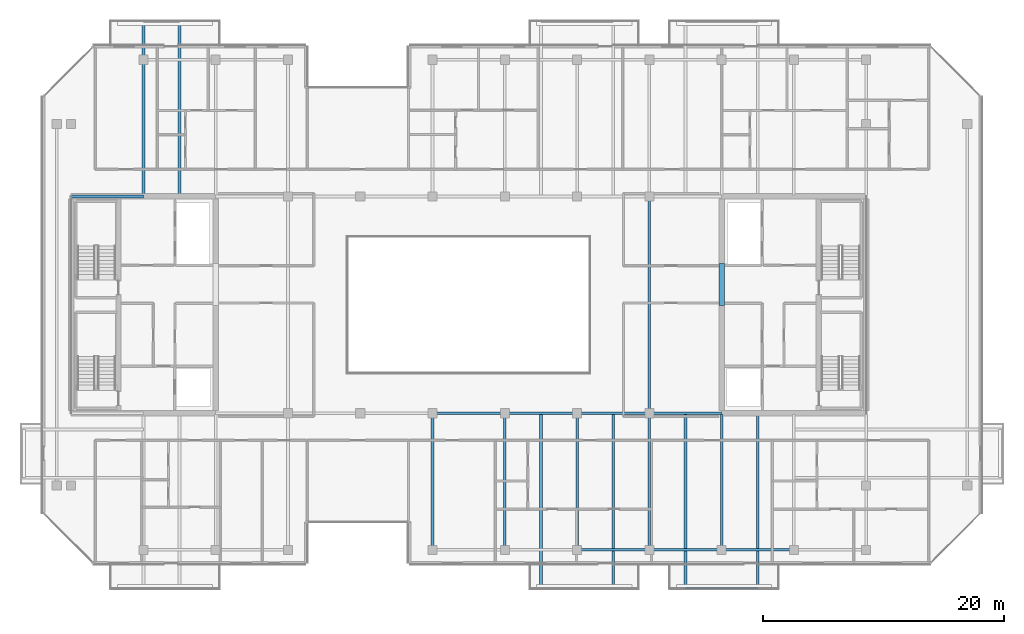
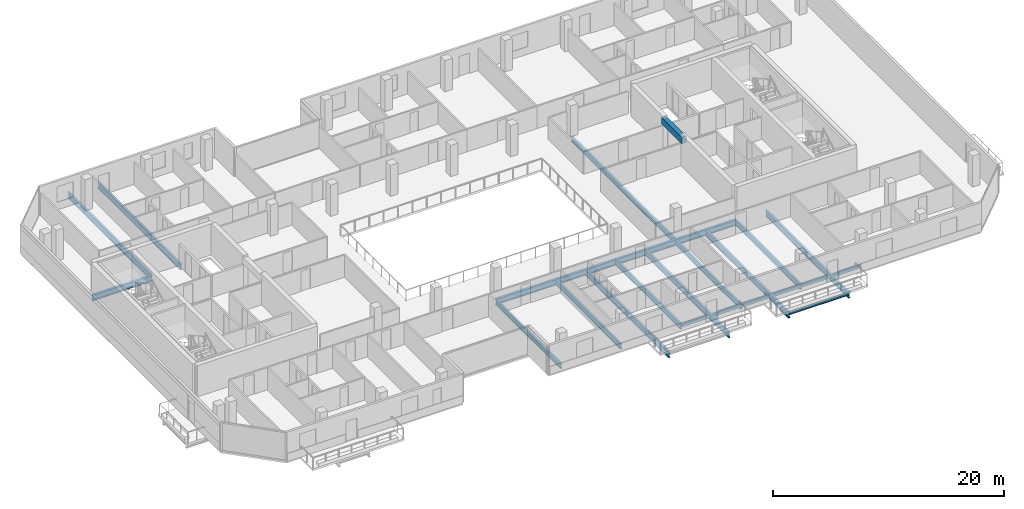
# One storey, part 7 of 28: 22 beams.
"""IFC4 building model written with IfcOpenShell, lengths in metres."""

from ifc_helpers import new_model, si_unit, direction, frame, origin, origin_2d, place, context, subcontext, project, spatial, rectangle, hollow_rectangle, i_section, extrude, material, material_profile, profile_set, type_object, element, save


model = new_model("IFC4")

# Units and contexts
model_context = context("Model", 3, precision=1e-05, world=origin(), true_north=direction((0.0, 1.0)))
body_context = subcontext(model_context, "Body", "Model", "MODEL_VIEW")
ifc_project = project(units=[si_unit("LENGTHUNIT", "METRE"), si_unit("AREAUNIT", "SQUARE_METRE"), si_unit("VOLUMEUNIT", "CUBIC_METRE"), si_unit("PLANEANGLEUNIT", "RADIAN"), si_unit("MASSUNIT", "GRAM", prefix="KILO")], contexts=[model_context])

# Site, building, storey
site_placement = place(None, origin())
site = spatial("IfcSite", under=ifc_project, at=site_placement, CompositionType="ELEMENT")
building_placement = place(site_placement, origin())
building = spatial("IfcBuilding", under=site, at=building_placement, Name="Tanjung Sevakor Pilgrim Tower", CompositionType="ELEMENT")
storey_placement = place(building_placement, frame((0.0, 0.0, 222.75)))
storey = spatial("IfcBuildingStorey", under=building, at=storey_placement, Name="L62", CompositionType="ELEMENT", Elevation=222.75)

# Beams
ifc_material_1 = material(Name="Steel S355J2", Category="steel")
ifc_material_profile_1 = material_profile(ifc_material_1, i_section(OverallWidth=0.22900390625, OverallDepth=0.6123046875, WebThickness=0.011962890625, FlangeThickness=0.01953125, FilletRadius=0.0126953125, at=origin_2d()))
ifc_profile_set_1 = profile_set([ifc_material_profile_1], Name="Steel S355J2")
beam_type_1 = type_object("IfcBeamType", Name="BM-B-G4-UB_610x229x125", PredefinedType="BEAM", material=ifc_profile_set_1)
for number, where, z_axis, x_axis, name in (
    (1, (54.0, 24.60009765625, -0.526123046875), (1.0, 0.0, 0.0), (0.0, 1.0, 0.0), "L62 Primary Floor Girder MAIN Y246-05"),
    (2, (60.0, 24.60009765625, -0.526123046875), (1.0, 0.0, 0.0), (0.0, 1.0, 0.0), "L62 Primary Floor Girder MAIN Y246-06"),
    (3, (66.0, 24.60009765625, -0.526123046875), (1.0, 0.0, 0.0), (0.0, 1.0, 0.0), "L62 Primary Floor Girder MAIN Y246-07"),
    (4, (72.0, 24.60009765625, -0.526123046875), (1.0, 0.0, 0.0), (0.0, 1.0, 0.0), "L62 Primary Floor Girder MAIN Y246-08"),
    (5, (24.0, 42.60009765625, -0.526123046875), (1.0, 0.0, 0.0), (0.0, 1.0, 0.0), "L62 Primary Floor Girder MAIN Y426-01"),
):
    element("IfcBeam", number, at=place(storey_placement, frame(where, z_axis=z_axis, x_axis=x_axis)), inside=storey, type_object=beam_type_1, Name=name, PredefinedType="BEAM", context=body_context, shape_type="SweptSolid", body=[
        extrude(i_section(OverallWidth=0.22900390625, OverallDepth=0.6123046875, WebThickness=0.011962890625, FlangeThickness=0.01953125, FilletRadius=0.0126953125, at=origin_2d()), origin(), (0.0, 0.0, 1.0), 6.0),
    ])
for number, where, z_axis, x_axis, name in (
    (6, (30.0, 42.714599609375, -0.526123046875), (0.0, 1.0, 0.0), (-1.0, 0.0, 0.0), "L62 Balcony Cantilever Beam MAIN-N1-1"),
    (7, (33.0, 42.714599609375, -0.526123046875), (0.0, 1.0, 0.0), (-1.0, 0.0, 0.0), "L62 Balcony Cantilever Beam MAIN-N1-2"),
):
    element("IfcBeam", number, at=place(storey_placement, frame(where, z_axis=z_axis, x_axis=x_axis)), inside=storey, type_object=beam_type_1, Name=name, PredefinedType="BEAM", context=body_context, shape_type="SweptSolid", body=[
        extrude(i_section(OverallWidth=0.22900390625, OverallDepth=0.6123046875, WebThickness=0.011962890625, FlangeThickness=0.01953125, FilletRadius=0.0126953125, at=origin_2d()), origin(), (0.0, 0.0, 1.0), 14.415283203125),
    ])
for number, where, z_axis, x_axis, name in (
    (8, (63.0, 24.485595703125, -0.526123046875), (0.0, -1.0, 0.0), (1.0, 0.0, 0.0), "L62 Balcony Cantilever Beam MAIN-S2-1"),
    (9, (69.0, 24.485595703125, -0.526123046875), (0.0, -1.0, 0.0), (1.0, 0.0, 0.0), "L62 Balcony Cantilever Beam MAIN-S2-2"),
    (10, (75.0, 24.485595703125, -0.526123046875), (0.0, -1.0, 0.0), (1.0, 0.0, 0.0), "L62 Balcony Cantilever Beam MAIN-S3-1"),
    (11, (81.0, 24.485595703125, -0.526123046875), (0.0, -1.0, 0.0), (1.0, 0.0, 0.0), "L62 Balcony Cantilever Beam MAIN-S3-2"),
):
    element("IfcBeam", number, at=place(storey_placement, frame(where, z_axis=z_axis, x_axis=x_axis)), inside=storey, type_object=beam_type_1, Name=name, PredefinedType="BEAM", context=body_context, shape_type="SweptSolid", body=[
        extrude(i_section(OverallWidth=0.22900390625, OverallDepth=0.6123046875, WebThickness=0.011962890625, FlangeThickness=0.01953125, FilletRadius=0.0126953125, at=origin_2d()), origin(), (0.0, 0.0, 1.0), 14.41552734375),
    ])
ifc_material_2 = material(Name="Steel S355J2", Category="steel")
ifc_material_profile_2 = material_profile(ifc_material_2, i_section(OverallWidth=0.2119140625, OverallDepth=0.54443359375, WebThickness=0.0126953125, FlangeThickness=0.021240234375, FilletRadius=0.0126953125, at=origin_2d()))
ifc_profile_set_2 = profile_set([ifc_material_profile_2], Name="Steel S355J2")
beam_type_2 = type_object("IfcBeamType", Name="BM-B-G5-UB_533x210x122", PredefinedType="BEAM", material=ifc_profile_set_2)
for number, where, z_axis, x_axis, name in (
    (12, (54.0, 13.25, -0.4921875), (0.0, 1.0, 0.0), (-1.0, 0.0, 0.0), "L62 MAIN Girder 006"),
    (13, (60.0, 13.25, -0.4921875), (0.0, 1.0, 0.0), (-1.0, 0.0, 0.0), "L62 MAIN Girder 008"),
    (14, (66.0, 13.25, -0.4921875), (0.0, 1.0, 0.0), (-1.0, 0.0, 0.0), "L62 MAIN Girder 010"),
    (15, (72.0, 13.25, -0.4921875), (0.0, 1.0, 0.0), (-1.0, 0.0, 0.0), "L62 MAIN Girder 012"),
):
    element("IfcBeam", number, at=place(storey_placement, frame(where, z_axis=z_axis, x_axis=x_axis)), inside=storey, type_object=beam_type_2, Name=name, PredefinedType="BEAM", context=body_context, shape_type="SweptSolid", body=[
        extrude(i_section(OverallWidth=0.2119140625, OverallDepth=0.54443359375, WebThickness=0.0126953125, FlangeThickness=0.021240234375, FilletRadius=0.0126953125, at=origin_2d()), origin(), (0.0, 0.0, 1.0), 11.35009765625),
    ])
beam_1_placement = place(storey_placement, frame((72.0, 24.60009765625, -0.4921875), z_axis=(0.0, 1.0, 0.0), x_axis=(-1.0, 0.0, 0.0)))
element("IfcBeam", 16, at=beam_1_placement, inside=storey, type_object=beam_type_2, Name="L62 MAIN Girder 013", PredefinedType="BEAM", context=body_context, shape_type="SweptSolid", body=[
    extrude(i_section(OverallWidth=0.2119140625, OverallDepth=0.54443359375, WebThickness=0.0126953125, FlangeThickness=0.021240234375, FilletRadius=0.0126953125, at=origin_2d()), origin(), (0.0, 0.0, 1.0), 18.0),
])
beam_2_placement = place(storey_placement, frame((78.0, 13.25, -0.4921875), z_axis=(0.0, 1.0, 0.0), x_axis=(-1.0, 0.0, 0.0)))
element("IfcBeam", 17, at=beam_2_placement, inside=storey, type_object=beam_type_2, Name="L62 MAIN Girder 015", PredefinedType="BEAM", context=body_context, shape_type="SweptSolid", body=[
    extrude(i_section(OverallWidth=0.2119140625, OverallDepth=0.54443359375, WebThickness=0.0126953125, FlangeThickness=0.021240234375, FilletRadius=0.0126953125, at=origin_2d()), origin(), (0.0, 0.0, 1.0), 11.235595703125),
])
ifc_material_3 = material(Name="Steel S355J2", Category="steel")
ifc_material_profile_3 = material_profile(ifc_material_3, i_section(OverallWidth=0.146484375, OverallDepth=0.256103515625, WebThickness=0.00634765625, FlangeThickness=0.010986328125, FilletRadius=0.007568359375, at=origin_2d()))
ifc_profile_set_3 = profile_set([ifc_material_profile_3], Name="Steel S355J2")
beam_type_3 = type_object("IfcBeamType", Name="BM-B-J6-UB_254x146x37", PredefinedType="JOIST", material=ifc_profile_set_3)
beam_3_placement = place(storey_placement, frame((75.0, 10.070068359375, -0.327880859375), z_axis=(1.0, 0.0, 0.0), x_axis=(0.0, 1.0, 0.0)))
element("IfcBeam", 18, at=beam_3_placement, inside=storey, type_object=beam_type_3, Name="L62 Balcony Rim Tie MAIN-S3", PredefinedType="JOIST", context=body_context, shape_type="SweptSolid", body=[
    extrude(i_section(OverallWidth=0.146484375, OverallDepth=0.256103515625, WebThickness=0.00634765625, FlangeThickness=0.010986328125, FilletRadius=0.007568359375, at=origin_2d()), origin(), (0.0, 0.0, 1.0), 6.0),
])
ifc_material_4 = material(Name="Concrete C60/75", Category="concrete")
ifc_material_profile_4 = material_profile(ifc_material_4, rectangle(XDim=0.449951171875, YDim=0.699951171875, at=origin_2d()))
ifc_profile_set_4 = profile_set([ifc_material_profile_4], Name="Concrete C60/75")
beam_type_4 = type_object("IfcBeamType", Name="BM-B-LN3-RC-BM_450x700", PredefinedType="LINTEL", material=ifc_profile_set_4)
beam_4_placement = place(storey_placement, frame((78.0, 33.550048828125, 2.72998046875), z_axis=(0.0, 1.0, 0.0), x_axis=(-1.0, 0.0, 0.0)))
element("IfcBeam", 19, at=beam_4_placement, inside=storey, type_object=beam_type_4, Name="L62 E Core Coupling Lintel", PredefinedType="LINTEL", context=body_context, shape_type="SweptSolid", body=[
    extrude(rectangle(XDim=0.449951171875, YDim=0.699951171875, at=origin_2d()), origin(), (0.0, 0.0, 1.0), 3.5),
])
ifc_material_5 = material(Name="Steel S355J2", Category="steel")
ifc_material_profile_5 = material_profile(ifc_material_5, hollow_rectangle(XDim=0.199951171875, YDim=0.300048828125, WallThickness=0.012451171875, at=origin_2d()))
ifc_profile_set_5 = profile_set([ifc_material_profile_5], Name="Steel S355J2")
beam_type_5 = type_object("IfcBeamType", Name="BM-B-SP3-RHS_300x200x12.5", PredefinedType="SPANDREL", material=ifc_profile_set_5)
for number, where, z_axis, x_axis, name in (
    (20, (66.0, 13.25, -0.3701171875), (1.0, 0.0, 0.0), (0.0, 1.0, 0.0), "L62 Spandrel MAIN S-09"),
    (21, (72.0, 13.25, -0.3701171875), (1.0, 0.0, 0.0), (0.0, 1.0, 0.0), "L62 Spandrel MAIN S-11"),
    (22, (78.0, 13.25, -0.3701171875), (1.0, 0.0, 0.0), (0.0, 1.0, 0.0), "L62 Spandrel MAIN S-13"),
):
    element("IfcBeam", number, at=place(storey_placement, frame(where, z_axis=z_axis, x_axis=x_axis)), inside=storey, type_object=beam_type_5, Name=name, PredefinedType="SPANDREL", context=body_context, shape_type="SweptSolid", body=[
        extrude(hollow_rectangle(XDim=0.199951171875, YDim=0.300048828125, WallThickness=0.012451171875, at=origin_2d()), origin(), (0.0, 0.0, 1.0), 6.0),
    ])

save(model, "model.ifc")
